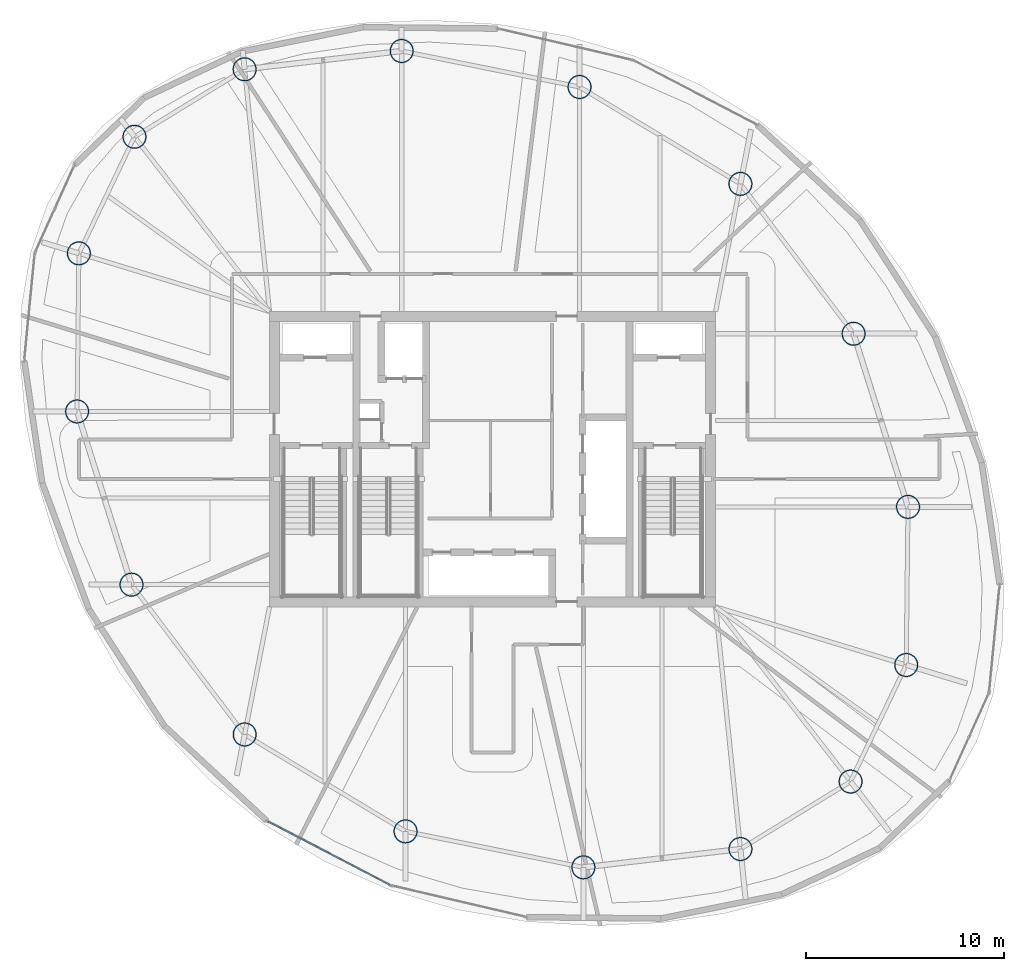
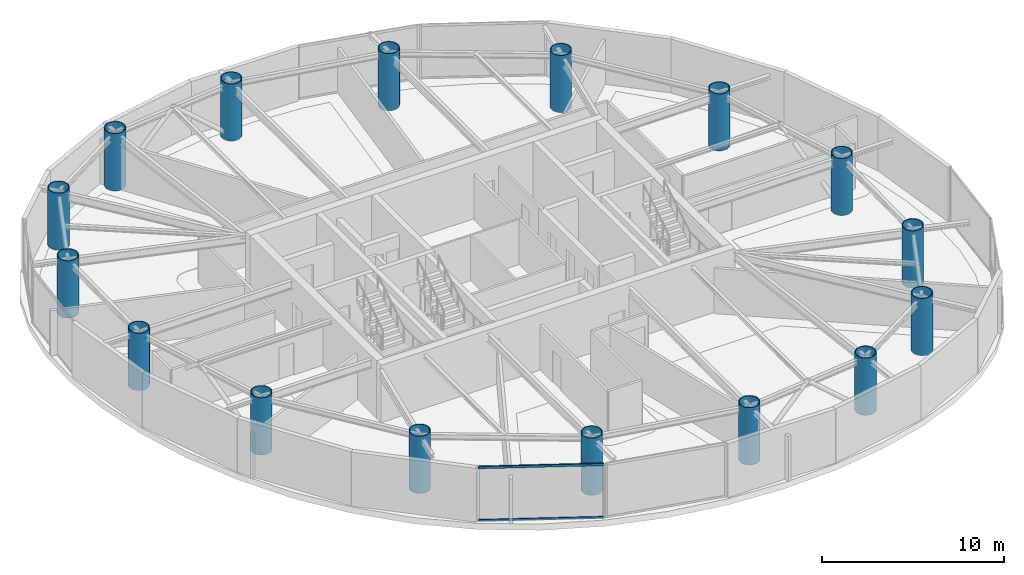
# One storey, part 1 of 25: 16 columns, 2 members, 1 element without a shape of its own.
"""IFC4 building model written with IfcOpenShell, lengths in metres."""

from ifc_helpers import new_model, si_unit, direction, frame, origin, origin_2d, place, context, subcontext, project, spatial, hollow_rectangle, hollow_circle, extrude, material, layer, layer_set, material_profile, profile_set, type_object, element, aggregate, save


model = new_model("IFC4")

# Units and contexts
model_context = context("Model", 3, precision=1e-05, world=origin(), true_north=direction((0.0, 1.0)))
body_context = subcontext(model_context, "Body", "Model", "MODEL_VIEW")
ifc_project = project(units=[si_unit("LENGTHUNIT", "METRE"), si_unit("AREAUNIT", "SQUARE_METRE"), si_unit("VOLUMEUNIT", "CUBIC_METRE"), si_unit("PLANEANGLEUNIT", "RADIAN"), si_unit("MASSUNIT", "GRAM", prefix="KILO")], contexts=[model_context])

# Site, building, storey
site_placement = place(None, origin())
site = spatial("IfcSite", under=ifc_project, at=site_placement, CompositionType="ELEMENT")
building_placement = place(site_placement, origin())
building = spatial("IfcBuilding", under=site, at=building_placement, Name="Bramvorn Convention Spire", CompositionType="ELEMENT")
storey_placement = place(building_placement, frame((0.0, 0.0, 171.199951171875)))
storey = spatial("IfcBuildingStorey", under=building, at=storey_placement, Name="L43", CompositionType="ELEMENT", Elevation=171.199951171875)

# Columns
ifc_material_1 = material(Name="Steel CSA G40.21 Grade 350 (350W)", Category="steel")
ifc_material_profile_1 = material_profile(ifc_material_1, hollow_circle(Radius=0.60009765625, WallThickness=0.050048828125, at=origin_2d()))
ifc_profile_set_1 = profile_set([ifc_material_profile_1], Name="Steel CSA G40.21 Grade 350 (350W) - CFT1200X50")
column_type = type_object("IfcColumnType", Name="COL-CFT1200X50", PredefinedType="COLUMN", material=ifc_profile_set_1)
for number, where, z_axis, x_axis, name in (
    (1, (56.058349609375, 9.739990234375, 0.0), (0.0, 0.0, 1.0), (1.0, 0.0, 0.0), "L43 composite CFT mega-column MC01"),
    (2, (58.863037109375, 15.619384765625, 0.0), (0.0, 0.0, 1.0), (1.0, 0.0, 0.0), "L43 composite CFT mega-column MC02"),
    (3, (58.95458984375, 23.593505859375, 0.0), (0.0, 0.0, 1.0), (1.0, 0.0, 0.0), "L43 composite CFT mega-column MC03"),
    (4, (56.21044921875, 32.327392578125, 0.0), (0.0, 0.0, 1.0), (1.0, 0.0, 0.0), "L43 composite CFT mega-column MC04"),
    (5, (50.501953125, 39.885009765625, 0.0), (0.0, 0.0, 1.0), (1.0, 0.0, 0.0), "L43 composite CFT mega-column MC05"),
    (6, (42.38916015625, 44.772216796875, 0.0), (0.0, 0.0, 1.0), (1.0, 0.0, 0.0), "L43 composite CFT mega-column MC06"),
    (7, (33.416259765625, 46.58837890625, 0.0), (0.0, 0.0, 1.0), (1.0, 0.0, 0.0), "L43 composite CFT mega-column MC07"),
    (8, (25.49560546875, 45.663818359375, 0.0), (0.0, 0.0, 1.0), (1.0, 0.0, 0.0), "L43 composite CFT mega-column MC08"),
    (9, (19.941650390625, 42.260009765625, 0.0), (0.0, 0.0, 1.0), (1.0, 0.0, 0.0), "L43 composite CFT mega-column MC09"),
    (10, (17.136962890625, 36.380615234375, 0.0), (0.0, 0.0, 1.0), (1.0, 0.0, 0.0), "L43 composite CFT mega-column MC10"),
    (11, (17.04541015625, 28.406494140625, 0.0), (0.0, 0.0, 1.0), (1.0, 0.0, 0.0), "L43 composite CFT mega-column MC11"),
    (12, (19.78955078125, 19.672607421875, 0.0), (0.0, 0.0, 1.0), (1.0, 0.0, 0.0), "L43 composite CFT mega-column MC12"),
    (13, (25.498046875, 12.114990234375, 0.0), (0.0, 0.0, 1.0), (1.0, 0.0, 0.0), "L43 composite CFT mega-column MC13"),
    (14, (33.61083984375, 7.227783203125, 0.0), (0.0, 0.0, 1.0), (1.0, 0.0, 0.0), "L43 composite CFT mega-column MC14"),
    (15, (42.583740234375, 5.41162109375, 0.0), (0.0, 0.0, 1.0), (1.0, 0.0, 0.0), "L43 composite CFT mega-column MC15"),
    (16, (50.50439453125, 6.336181640625, 0.0), (0.0, 0.0, 1.0), (1.0, 0.0, 0.0), "L43 composite CFT mega-column MC16"),
):
    element("IfcColumn", number, at=place(storey_placement, frame(where, z_axis=z_axis, x_axis=x_axis)), inside=storey, type_object=column_type, Name=name, PredefinedType="COLUMN", context=body_context, shape_type="SweptSolid", body=[
        extrude(hollow_circle(Radius=0.60009765625, WallThickness=0.050048828125, at=origin_2d()), origin(), (0.0, 0.0, 1.0), 3.85009765625),
    ])

# Curtain wall, members
ifc_material_2 = material(Name="Anodised Bronze Unitised Curtain Wall", Category="aluminium")
ifc_layer = layer(ifc_material_2, 0.179931640625)
ifc_layer_set = layer_set([ifc_layer], Name="Anodised Bronze Unitised Curtain Wall - CW-OFF-FRIT")
curtain_wall_type = type_object("IfcCurtainWallType", Name="CW-OFF-FRIT", PredefinedType="USERDEFINED", material=ifc_layer_set)
curtain_wall_placement = place(storey_placement, origin())
curtain_wall = element("IfcCurtainWall", 17, at=curtain_wall_placement, inside=storey, type_object=curtain_wall_type, Name="L43 fritted glass curtain wall 19", ObjectType="UNITISED CURTAIN WALL", PredefinedType="USERDEFINED")
ifc_material_3 = material(Name="Anodised Bronze Aluminium 6063-T6", Category="aluminium")
ifc_material_profile_2 = material_profile(ifc_material_3, hollow_rectangle(XDim=0.080078125, YDim=0.159912109375, WallThickness=0.00390625, InnerFilletRadius=0.0009765625, OuterFilletRadius=0.00390625, at=origin_2d()))
ifc_profile_set_2 = profile_set([ifc_material_profile_2], Name="Anodised Bronze Aluminium 6063-T6 - CWT80X160")
member_type = type_object("IfcMemberType", Name="CW-TRN-150", PredefinedType="USERDEFINED", material=ifc_profile_set_2)
member_1_placement = place(storey_placement, frame((32.816162109375, 4.52783203125, 0.030029296875), z_axis=(-0.886974256478, 0.461818869629, 0.0), x_axis=(-0.461818869629, -0.886974256478, 0.0)))
member_1 = element("IfcMember", 18, at=member_1_placement, type_object=member_type, Name="CW3 transom 1.1", ObjectType="TRANSOM", PredefinedType="USERDEFINED", context=body_context, shape_type="SweptSolid", body=[
    extrude(hollow_rectangle(XDim=0.080078125, YDim=0.159912109375, WallThickness=0.00390625, InnerFilletRadius=0.0009765625, OuterFilletRadius=0.00390625, at=origin_2d()), origin(), (0.0, 0.0, 1.0), 6.92529296875),
])
member_2_placement = place(storey_placement, frame((32.816162109375, 4.52783203125, 3.590087890625), z_axis=(-0.886974256478, 0.461818869629, 0.0), x_axis=(-0.461818869629, -0.886974256478, 0.0)))
member_2 = element("IfcMember", 19, at=member_2_placement, type_object=member_type, Name="CW3 transom 1.2", ObjectType="TRANSOM", PredefinedType="USERDEFINED", context=body_context, shape_type="SweptSolid", body=[
    extrude(hollow_rectangle(XDim=0.080078125, YDim=0.159912109375, WallThickness=0.00390625, InnerFilletRadius=0.0009765625, OuterFilletRadius=0.00390625, at=origin_2d()), origin(), (0.0, 0.0, 1.0), 6.92529296875),
])
aggregate(curtain_wall, [member_1, member_2])

save(model, "model.ifc")
